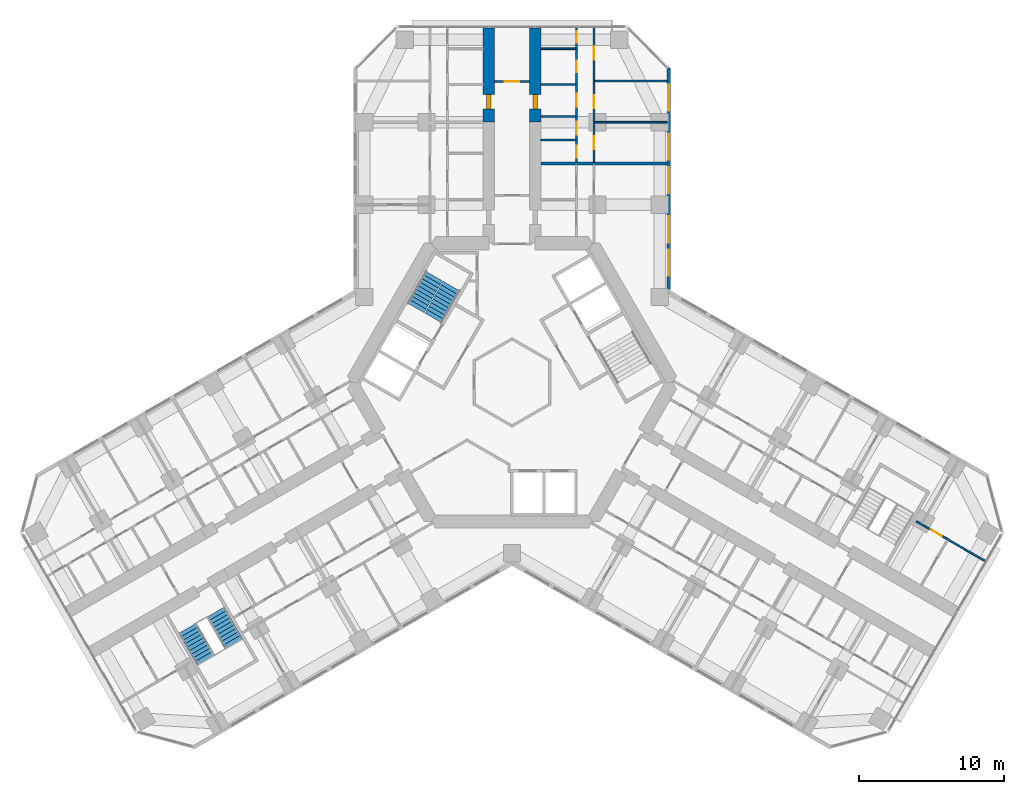
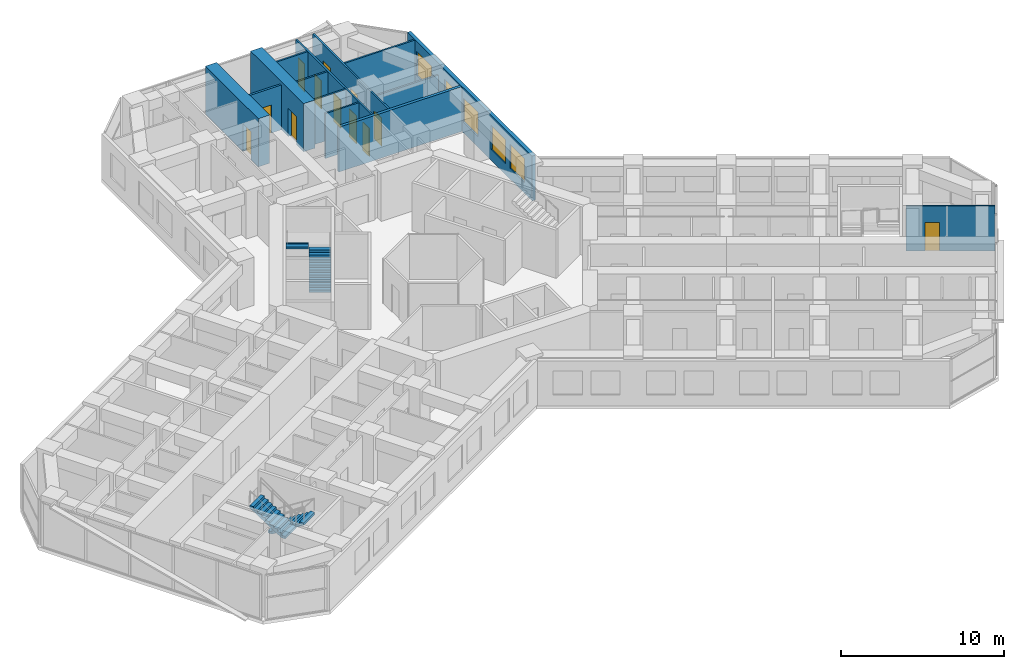
# One storey, part 18 of 20: 14 walls, 12 doors, 5 windows, 4 stair flights, 17 openings, 2 elements without a shape of their own.
"""IFC4 building model written with IfcOpenShell, lengths in metres."""

from ifc_helpers import new_model, si_unit, direction, frame, frame_2d, origin, place, context, subcontext, project, spatial, polyline, rectangle, outline, extrude, material, layer, layer_set, type_object, element, fill, aggregate, save


model = new_model("IFC4")

# Units and contexts
model_context = context("Model", 3, precision=1e-05, world=origin(), true_north=direction((0.0, 1.0)))
body_context = subcontext(model_context, "Body", "Model", "MODEL_VIEW")
ifc_project = project(units=[si_unit("LENGTHUNIT", "METRE"), si_unit("AREAUNIT", "SQUARE_METRE"), si_unit("VOLUMEUNIT", "CUBIC_METRE"), si_unit("PLANEANGLEUNIT", "RADIAN"), si_unit("MASSUNIT", "GRAM", prefix="KILO")], contexts=[model_context])

# Site, building, storey
site_placement = place(None, origin())
site = spatial("IfcSite", under=ifc_project, at=site_placement, CompositionType="ELEMENT")
building_placement = place(site_placement, origin())
building = spatial("IfcBuilding", under=site, at=building_placement, Name="Kosmar Iwan School Tower", CompositionType="ELEMENT")
storey_placement = place(building_placement, frame((0.0, 0.0, 127.39990234375)))
storey = spatial("IfcBuildingStorey", under=building, at=storey_placement, Name="L31", CompositionType="ELEMENT", Elevation=127.39990234375)

# Wall, opening, door
ifc_material_1 = material(Name="Concrete C50/60", Category="concrete")
ifc_layer_1 = layer(ifc_material_1, 0.800048828125)
ifc_layer_set_1 = layer_set([ifc_layer_1], Name="Corridor buttress wall 800")
wall_type_1 = type_object("IfcWallType", Name="Corridor buttress wall 800", PredefinedType="SHEAR", material=ifc_layer_set_1)
wall_1_placement = place(storey_placement, frame((-1.60009765625, 17.949951171875, 0.0), z_axis=(0.0, 0.0, 1.0), x_axis=(0.0, 1.0, 0.0)))
wall_1 = element("IfcWall", 1, at=wall_1_placement, inside=storey, type_object=wall_type_1, Name="Corridor wall AL bay 2", PredefinedType="SHEAR", context=body_context, shape_type="SweptSolid", body=[
    extrude(rectangle(XDim=6.4951171875, YDim=0.800048828125, at=frame_2d((3.24755859375, 0.0))), origin(), (0.0, 0.0, 1.0), 3.60009765625),
])
opening_1_placement = place(wall_1_placement, frame((0.89990234375, 0.0, 0.0)))
opening_1 = element("IfcOpeningElement", 2, at=opening_1_placement, cuts=wall_1, Name="Opening D1", PredefinedType="OPENING", context=body_context, shape_type="SweptSolid", body=[
    extrude(rectangle(XDim=1.0, YDim=2.10009765625, at=frame_2d((0.5, 1.050048828125))), frame((0.0, 0.412109375, 0.0), z_axis=(0.0, -1.0, 0.0), x_axis=(1.0, 0.0, 0.0)), (0.0, 0.0, 1.0), 0.823974609375),
])
ifc_material_2 = material(Name="Timber fire door in steel frame", Category="steel")
door_type_1 = type_object("IfcDoorType", Name="Flat entrance door 1000x2100", OperationType="SINGLE_SWING_LEFT", PredefinedType="DOOR", material=ifc_material_2)
door_1_placement = place(opening_1_placement, origin())
door_1 = element("IfcDoor", 3, at=door_1_placement, inside=storey, type_object=door_type_1, Name="Flat L31-AL2 entrance door", OperationType="SINGLE_SWING_RIGHT", OverallHeight=2.10009765625, OverallWidth=1.0, PredefinedType="DOOR", context=body_context, shape_type="SweptSolid", body=[
    extrude(rectangle(XDim=1.0, YDim=2.10009765625, at=frame_2d((0.5, 1.050048828125))), frame((0.0, 0.14990234375, 0.0), z_axis=(0.0, -1.0, 0.0), x_axis=(1.0, 0.0, 0.0)), (0.0, 0.0, 1.0), 0.300048828125),
])
fill(opening_1, door_1)

wall_2_placement = place(storey_placement, frame((1.60009765625, 17.949951171875, 0.0), z_axis=(0.0, 0.0, 1.0), x_axis=(0.0, 1.0, 0.0)))
wall_2 = element("IfcWall", 4, at=wall_2_placement, inside=storey, type_object=wall_type_1, Name="Corridor wall AR bay 2", PredefinedType="SHEAR", context=body_context, shape_type="SweptSolid", body=[
    extrude(rectangle(XDim=6.4951171875, YDim=0.800048828125, at=frame_2d((3.24755859375, 0.0))), origin(), (0.0, 0.0, 1.0), 3.60009765625),
])
opening_2_placement = place(wall_2_placement, frame((0.89990234375, 0.0, 0.0)))
opening_2 = element("IfcOpeningElement", 5, at=opening_2_placement, cuts=wall_2, Name="Opening D1", PredefinedType="OPENING", context=body_context, shape_type="SweptSolid", body=[
    extrude(rectangle(XDim=1.0, YDim=2.10009765625, at=frame_2d((0.5, 1.050048828125))), frame((0.0, 0.412109375, 0.0), z_axis=(0.0, -1.0, 0.0), x_axis=(1.0, 0.0, 0.0)), (0.0, 0.0, 1.0), 0.823974609375),
])
door_2_placement = place(opening_2_placement, origin())
door_2 = element("IfcDoor", 6, at=door_2_placement, inside=storey, type_object=door_type_1, Name="Flat L31-AR2 entrance door", OperationType="SINGLE_SWING_RIGHT", OverallHeight=2.10009765625, OverallWidth=1.0, PredefinedType="DOOR", context=body_context, shape_type="SweptSolid", body=[
    extrude(rectangle(XDim=1.0, YDim=2.10009765625, at=frame_2d((0.5, 1.050048828125))), frame((0.0, 0.14990234375, 0.0), z_axis=(0.0, -1.0, 0.0), x_axis=(1.0, 0.0, 0.0)), (0.0, 0.0, 1.0), 0.300048828125),
])
fill(opening_2, door_2)

ifc_material_3 = material(Name="Gypsum board on steel studs, fire-rated", Category="steel")
ifc_layer_2 = layer(ifc_material_3, 0.14990234375)
ifc_layer_set_2 = layer_set([ifc_layer_2], Name="Corridor end wall 150")
wall_type_2 = type_object("IfcWallType", Name="Corridor end wall 150", PredefinedType="PARTITIONING", material=ifc_layer_set_2)
wall_3_placement = place(storey_placement, frame((1.199951171875, 20.75, 0.0), z_axis=(0.0, 0.0, 1.0), x_axis=(-1.0, 0.0, 0.0)))
wall_3 = element("IfcWall", 7, at=wall_3_placement, inside=storey, type_object=wall_type_2, Name="Partition L31-A-CE", PredefinedType="PARTITIONING", context=body_context, shape_type="SweptSolid", body=[
    extrude(rectangle(XDim=2.39990234375, YDim=0.14990234375, at=frame_2d((1.199951171875, 0.0))), origin(), (0.0, 0.0, 1.0), 3.35009765625),
])
opening_3_placement = place(wall_3_placement, frame((0.699951171875, 0.0, 0.0)))
opening_3 = element("IfcOpeningElement", 8, at=opening_3_placement, cuts=wall_3, Name="Opening D13", PredefinedType="OPENING", context=body_context, shape_type="SweptSolid", body=[
    extrude(rectangle(XDim=1.0, YDim=2.10009765625, at=frame_2d((0.5, 1.050048828125))), frame((0.0, 0.0869140625, 0.0), z_axis=(0.0, -1.0, 0.0), x_axis=(1.0, 0.0, 0.0)), (0.0, 0.0, 1.0), 0.173828125),
])
ifc_material_4 = material(Name="Timber fire door with vision panel", Category="wood")
door_type_2 = type_object("IfcDoorType", Name="Corridor end door 1000x2100", OperationType="SINGLE_SWING_LEFT", PredefinedType="DOOR", material=ifc_material_4)
door_3_placement = place(opening_3_placement, origin())
door_3 = element("IfcDoor", 9, at=door_3_placement, inside=storey, type_object=door_type_2, Name="Prayer room door L31-A", OperationType="SINGLE_SWING_LEFT", OverallHeight=2.10009765625, OverallWidth=1.0, PredefinedType="DOOR", context=body_context, shape_type="SweptSolid", body=[
    extrude(rectangle(XDim=1.0, YDim=2.10009765625, at=frame_2d((0.5, 1.050048828125))), frame((0.0, 0.02490234375, 0.0), z_axis=(0.0, -1.0, 0.0), x_axis=(1.0, 0.0, 0.0)), (0.0, 0.0, 1.0), 0.050048828125),
])
fill(opening_3, door_3)

# Wall, openings, doors
ifc_material_5 = material(Name="Gypsum board on steel studs", Category="steel")
ifc_layer_3 = layer(ifc_material_5, 0.1201171875)
ifc_layer_set_3 = layer_set([ifc_layer_3], Name="Dwelling partition 120")
wall_type_3 = type_object("IfcWallType", Name="Dwelling partition 120", PredefinedType="PARTITIONING", material=ifc_layer_set_3)
wall_4_placement = place(storey_placement, frame((4.449951171875, 15.199951171875, 0.0), z_axis=(0.0, 0.0, 1.0), x_axis=(0.0, 1.0, 0.0)))
wall_4 = element("IfcWall", 10, at=wall_4_placement, inside=storey, type_object=wall_type_3, Name="Partition L31-AR2-W1", PredefinedType="PARTITIONING", context=body_context, shape_type="SweptSolid", body=[
    extrude(rectangle(XDim=9.2451171875, YDim=0.1201171875, at=frame_2d((4.62255859375, 0.0))), origin(), (0.0, 0.0, 1.0), 3.35009765625),
])
opening_4_placement = place(wall_4_placement, frame((0.3125, 0.0, 0.0)))
opening_4 = element("IfcOpeningElement", 11, at=opening_4_placement, cuts=wall_4, Name="Opening D3", PredefinedType="OPENING", context=body_context, shape_type="SweptSolid", body=[
    extrude(rectangle(XDim=0.800048828125, YDim=2.10009765625, at=frame_2d((0.39990234375, 1.050048828125))), frame((0.0, 0.072021484375, 0.0), z_axis=(0.0, -1.0, 0.0), x_axis=(1.0, 0.0, 0.0)), (0.0, 0.0, 1.0), 0.14404296875),
])
opening_5_placement = place(wall_4_placement, frame((1.887451171875, 0.0, 0.0)))
opening_5 = element("IfcOpeningElement", 12, at=opening_5_placement, cuts=wall_4, Name="Opening D2", PredefinedType="OPENING", context=body_context, shape_type="SweptSolid", body=[
    extrude(rectangle(XDim=0.89990234375, YDim=2.10009765625, at=frame_2d((0.449951171875, 1.050048828125))), frame((0.0, 0.072021484375, 0.0), z_axis=(0.0, -1.0, 0.0), x_axis=(1.0, 0.0, 0.0)), (0.0, 0.0, 1.0), 0.14404296875),
])
opening_6_placement = place(wall_4_placement, frame((3.800048828125, 0.0, 0.0)))
opening_6 = element("IfcOpeningElement", 13, at=opening_6_placement, cuts=wall_4, Name="Opening D2", PredefinedType="OPENING", context=body_context, shape_type="SweptSolid", body=[
    extrude(rectangle(XDim=0.89990234375, YDim=2.10009765625, at=frame_2d((0.449951171875, 1.050048828125))), frame((0.0, 0.072021484375, 0.0), z_axis=(0.0, -1.0, 0.0), x_axis=(1.0, 0.0, 0.0)), (0.0, 0.0, 1.0), 0.14404296875),
])
opening_7_placement = place(wall_4_placement, frame((6.179931640625, 0.0, 0.0)))
opening_7 = element("IfcOpeningElement", 14, at=opening_7_placement, cuts=wall_4, Name="Opening D3", PredefinedType="OPENING", context=body_context, shape_type="SweptSolid", body=[
    extrude(rectangle(XDim=0.800048828125, YDim=2.10009765625, at=frame_2d((0.39990234375, 1.050048828125))), frame((0.0, 0.072021484375, 0.0), z_axis=(0.0, -1.0, 0.0), x_axis=(1.0, 0.0, 0.0)), (0.0, 0.0, 1.0), 0.14404296875),
])
opening_8_placement = place(wall_4_placement, frame((8.22998046875, 0.0, 0.0)))
opening_8 = element("IfcOpeningElement", 15, at=opening_8_placement, cuts=wall_4, Name="Opening D3", PredefinedType="OPENING", context=body_context, shape_type="SweptSolid", body=[
    extrude(rectangle(XDim=0.800048828125, YDim=2.10009765625, at=frame_2d((0.39990234375, 1.050048828125))), frame((0.0, 0.072021484375, 0.0), z_axis=(0.0, -1.0, 0.0), x_axis=(1.0, 0.0, 0.0)), (0.0, 0.0, 1.0), 0.14404296875),
])
ifc_material_6 = material(Name="Timber door in timber frame", Category="wood")
door_type_3 = type_object("IfcDoorType", Name="Internal door 900x2100", OperationType="SINGLE_SWING_LEFT", PredefinedType="DOOR", material=ifc_material_6)
door_4_placement = place(opening_5_placement, origin())
door_4 = element("IfcDoor", 16, at=door_4_placement, inside=storey, type_object=door_type_3, Name="Pantry door L31-AR2-S2", OperationType="SINGLE_SWING_LEFT", OverallHeight=2.10009765625, OverallWidth=0.89990234375, PredefinedType="DOOR", context=body_context, shape_type="SweptSolid", body=[
    extrude(rectangle(XDim=0.89990234375, YDim=2.10009765625, at=frame_2d((0.449951171875, 1.050048828125))), frame((0.0, 0.02490234375, 0.0), z_axis=(0.0, -1.0, 0.0), x_axis=(1.0, 0.0, 0.0)), (0.0, 0.0, 1.0), 0.050048828125),
])
fill(opening_5, door_4)
door_5_placement = place(opening_6_placement, origin())
door_5 = element("IfcDoor", 17, at=door_5_placement, inside=storey, type_object=door_type_3, Name="Entrance hall door L31-AR2-S3", OperationType="SINGLE_SWING_RIGHT", OverallHeight=2.10009765625, OverallWidth=0.89990234375, PredefinedType="DOOR", context=body_context, shape_type="SweptSolid", body=[
    extrude(rectangle(XDim=0.89990234375, YDim=2.10009765625, at=frame_2d((0.449951171875, 1.050048828125))), frame((0.0, 0.02490234375, 0.0), z_axis=(0.0, -1.0, 0.0), x_axis=(1.0, 0.0, 0.0)), (0.0, 0.0, 1.0), 0.050048828125),
])
fill(opening_6, door_5)
ifc_material_7 = material(Name="Timber door in timber frame", Category="wood")
door_type_4 = type_object("IfcDoorType", Name="Sanitary room door 800x2100", OperationType="SINGLE_SWING_LEFT", PredefinedType="DOOR", material=ifc_material_7)
door_6_placement = place(opening_4_placement, origin())
door_6 = element("IfcDoor", 18, at=door_6_placement, inside=storey, type_object=door_type_4, Name="Store door L31-AR2-S1", OperationType="SINGLE_SWING_RIGHT", OverallHeight=2.10009765625, OverallWidth=0.800048828125, PredefinedType="DOOR", context=body_context, shape_type="SweptSolid", body=[
    extrude(rectangle(XDim=0.800048828125, YDim=2.10009765625, at=frame_2d((0.39990234375, 1.050048828125))), frame((0.0, 0.02490234375, 0.0), z_axis=(0.0, -1.0, 0.0), x_axis=(1.0, 0.0, 0.0)), (0.0, 0.0, 1.0), 0.050048828125),
])
fill(opening_4, door_6)
door_7_placement = place(opening_7_placement, origin())
door_7 = element("IfcDoor", 19, at=door_7_placement, inside=storey, type_object=door_type_4, Name="Bathroom door L31-AR2-S4", OperationType="SINGLE_SWING_LEFT", OverallHeight=2.10009765625, OverallWidth=0.800048828125, PredefinedType="DOOR", context=body_context, shape_type="SweptSolid", body=[
    extrude(rectangle(XDim=0.800048828125, YDim=2.10009765625, at=frame_2d((0.39990234375, 1.050048828125))), frame((0.0, 0.02490234375, 0.0), z_axis=(0.0, -1.0, 0.0), x_axis=(1.0, 0.0, 0.0)), (0.0, 0.0, 1.0), 0.050048828125),
])
fill(opening_7, door_7)
door_8_placement = place(opening_8_placement, origin())
door_8 = element("IfcDoor", 20, at=door_8_placement, inside=storey, type_object=door_type_4, Name="WC door L31-AR2-S5", OperationType="SINGLE_SWING_RIGHT", OverallHeight=2.10009765625, OverallWidth=0.800048828125, PredefinedType="DOOR", context=body_context, shape_type="SweptSolid", body=[
    extrude(rectangle(XDim=0.800048828125, YDim=2.10009765625, at=frame_2d((0.39990234375, 1.050048828125))), frame((0.0, 0.02490234375, 0.0), z_axis=(0.0, -1.0, 0.0), x_axis=(1.0, 0.0, 0.0)), (0.0, 0.0, 1.0), 0.050048828125),
])
fill(opening_8, door_8)

wall_5_placement = place(storey_placement, frame((5.64990234375, 15.199951171875, 0.0), z_axis=(0.0, 0.0, 1.0), x_axis=(0.0, 1.0, 0.0)))
wall_5 = element("IfcWall", 21, at=wall_5_placement, inside=storey, type_object=wall_type_3, Name="Partition L31-AR2-W2", PredefinedType="PARTITIONING", context=body_context, shape_type="SweptSolid", body=[
    extrude(rectangle(XDim=9.2451171875, YDim=0.1201171875, at=frame_2d((4.62255859375, 0.0))), origin(), (0.0, 0.0, 1.0), 3.35009765625),
])
opening_9_placement = place(wall_5_placement, frame((0.875, 0.0, 0.0)))
opening_9 = element("IfcOpeningElement", 22, at=opening_9_placement, cuts=wall_5, Name="Opening D2", PredefinedType="OPENING", context=body_context, shape_type="SweptSolid", body=[
    extrude(rectangle(XDim=0.89990234375, YDim=2.10009765625, at=frame_2d((0.449951171875, 1.050048828125))), frame((0.0, 0.072021484375, 0.0), z_axis=(0.0, -1.0, 0.0), x_axis=(1.0, 0.0, 0.0)), (0.0, 0.0, 1.0), 0.14404296875),
])
opening_10_placement = place(wall_5_placement, frame((3.72509765625, 0.0, 0.0)))
opening_10 = element("IfcOpeningElement", 23, at=opening_10_placement, cuts=wall_5, Name="Opening D2", PredefinedType="OPENING", context=body_context, shape_type="SweptSolid", body=[
    extrude(rectangle(XDim=0.89990234375, YDim=2.10009765625, at=frame_2d((0.449951171875, 1.050048828125))), frame((0.0, 0.072021484375, 0.0), z_axis=(0.0, -1.0, 0.0), x_axis=(1.0, 0.0, 0.0)), (0.0, 0.0, 1.0), 0.14404296875),
])
opening_11_placement = place(wall_5_placement, frame((7.074951171875, 0.0, 0.0)))
opening_11 = element("IfcOpeningElement", 24, at=opening_11_placement, cuts=wall_5, Name="Opening D2", PredefinedType="OPENING", context=body_context, shape_type="SweptSolid", body=[
    extrude(rectangle(XDim=0.89990234375, YDim=2.10009765625, at=frame_2d((0.449951171875, 1.050048828125))), frame((0.0, 0.072021484375, 0.0), z_axis=(0.0, -1.0, 0.0), x_axis=(1.0, 0.0, 0.0)), (0.0, 0.0, 1.0), 0.14404296875),
])
door_9_placement = place(opening_9_placement, origin())
door_9 = element("IfcDoor", 25, at=door_9_placement, inside=storey, type_object=door_type_3, Name="Family room and kitchen door L31-AR2-F1", OperationType="SINGLE_SWING_LEFT", OverallHeight=2.10009765625, OverallWidth=0.89990234375, PredefinedType="DOOR", context=body_context, shape_type="SweptSolid", body=[
    extrude(rectangle(XDim=0.89990234375, YDim=2.10009765625, at=frame_2d((0.449951171875, 1.050048828125))), frame((0.0, 0.02490234375, 0.0), z_axis=(0.0, -1.0, 0.0), x_axis=(1.0, 0.0, 0.0)), (0.0, 0.0, 1.0), 0.050048828125),
])
fill(opening_9, door_9)
door_10_placement = place(opening_10_placement, origin())
door_10 = element("IfcDoor", 26, at=door_10_placement, inside=storey, type_object=door_type_3, Name="Guest reception room door L31-AR2-F2", OperationType="SINGLE_SWING_LEFT", OverallHeight=2.10009765625, OverallWidth=0.89990234375, PredefinedType="DOOR", context=body_context, shape_type="SweptSolid", body=[
    extrude(rectangle(XDim=0.89990234375, YDim=2.10009765625, at=frame_2d((0.449951171875, 1.050048828125))), frame((0.0, 0.02490234375, 0.0), z_axis=(0.0, -1.0, 0.0), x_axis=(1.0, 0.0, 0.0)), (0.0, 0.0, 1.0), 0.050048828125),
])
fill(opening_10, door_10)
door_11_placement = place(opening_11_placement, origin())
door_11 = element("IfcDoor", 27, at=door_11_placement, inside=storey, type_object=door_type_3, Name="Bedroom 1 door L31-AR2-F3", OperationType="SINGLE_SWING_RIGHT", OverallHeight=2.10009765625, OverallWidth=0.89990234375, PredefinedType="DOOR", context=body_context, shape_type="SweptSolid", body=[
    extrude(rectangle(XDim=0.89990234375, YDim=2.10009765625, at=frame_2d((0.449951171875, 1.050048828125))), frame((0.0, 0.02490234375, 0.0), z_axis=(0.0, -1.0, 0.0), x_axis=(1.0, 0.0, 0.0)), (0.0, 0.0, 1.0), 0.050048828125),
])
fill(opening_11, door_11)

# Walls
wall_6_placement = place(storey_placement, frame((5.7099609375, 17.949951171875, 0.0), z_axis=(0.0, 0.0, 1.0), x_axis=(1.0, 0.0, 0.0)))
element("IfcWall", 28, at=wall_6_placement, inside=storey, type_object=wall_type_3, Name="Partition L31-AR2-X1", PredefinedType="PARTITIONING", context=body_context, shape_type="SweptSolid", body=[
    extrude(rectangle(XDim=4.989990234375, YDim=0.1201171875, at=frame_2d((2.4951171875, 0.0))), origin(), (0.0, 0.0, 1.0), 2.4501953125),
])
wall_7_placement = place(storey_placement, frame((5.7099609375, 20.800048828125, 0.0), z_axis=(0.0, 0.0, 1.0), x_axis=(1.0, 0.0, 0.0)))
element("IfcWall", 29, at=wall_7_placement, inside=storey, type_object=wall_type_3, Name="Partition L31-AR2-X2", PredefinedType="PARTITIONING", context=body_context, shape_type="SweptSolid", body=[
    extrude(rectangle(XDim=4.989990234375, YDim=0.1201171875, at=frame_2d((2.4951171875, 0.0))), origin(), (0.0, 0.0, 1.0), 3.35009765625),
])
for number, where, z_axis, x_axis, name in (
    (30, (2.0, 16.72509765625, 0.0), (0.0, 0.0, 1.0), (1.0, 0.0, 0.0), "Partition L31-AR2-Y1"),
    (31, (2.0, 18.35009765625, 0.0), (0.0, 0.0, 1.0), (1.0, 0.0, 0.0), "Partition L31-AR2-Y2"),
    (32, (2.0, 20.550048828125, 0.0), (0.0, 0.0, 1.0), (1.0, 0.0, 0.0), "Partition L31-AR2-Y3"),
    (33, (2.0, 23.010009765625, 0.0), (0.0, 0.0, 1.0), (1.0, 0.0, 0.0), "Partition L31-AR2-Y4"),
):
    element("IfcWall", number, at=place(storey_placement, frame(where, z_axis=z_axis, x_axis=x_axis)), inside=storey, type_object=wall_type_3, Name=name, PredefinedType="PARTITIONING", context=body_context, shape_type="SweptSolid", body=[
        extrude(rectangle(XDim=2.389892578125, YDim=0.1201171875, at=frame_2d((1.19482421875, 0.0))), origin(), (0.0, 0.0, 1.0), 3.35009765625),
    ])

# Wall, opening, door
wall_8_placement = place(storey_placement, frame((27.896484375, -9.58203125, 0.0), z_axis=(0.0, 0.0, 1.0), x_axis=(0.866035508231, -0.499982498177, 0.0)))
wall_8 = element("IfcWall", 34, at=wall_8_placement, inside=storey, type_object=wall_type_3, Name="Partition L31-CL2-TW", PredefinedType="PARTITIONING", context=body_context, shape_type="SweptSolid", body=[
    extrude(rectangle(XDim=5.445068359375, YDim=0.1201171875, at=frame_2d((2.72265625, 0.0))), origin(), (0.0, 0.0, 1.0), 3.35009765625),
])
opening_12_placement = place(wall_8_placement, frame((1.14990234375, 0.0, 0.0)))
opening_12 = element("IfcOpeningElement", 35, at=opening_12_placement, cuts=wall_8, Name="Opening D2", PredefinedType="OPENING", context=body_context, shape_type="SweptSolid", body=[
    extrude(rectangle(XDim=0.89990234375, YDim=2.10009765625, at=frame_2d((0.449951171875, 1.050048828125))), frame((0.0, 0.072021484375, 0.0), z_axis=(0.0, -1.0, 0.0), x_axis=(1.0, 0.0, 0.0)), (0.0, 0.0, 1.0), 0.14404296875),
])
door_12_placement = place(opening_12_placement, origin())
door_12 = element("IfcDoor", 36, at=door_12_placement, inside=storey, type_object=door_type_3, Name="Dressing room door L31-CL2-T3", OperationType="SINGLE_SWING_LEFT", OverallHeight=2.10009765625, OverallWidth=0.89990234375, PredefinedType="DOOR", context=body_context, shape_type="SweptSolid", body=[
    extrude(rectangle(XDim=0.89990234375, YDim=2.10009765625, at=frame_2d((0.449951171875, 1.050048828125))), frame((0.0, 0.02490234375, 0.0), z_axis=(0.0, -1.0, 0.0), x_axis=(1.0, 0.0, 0.0)), (0.0, 0.0, 1.0), 0.050048828125),
])
fill(opening_12, door_12)

# Wall, openings, windows
ifc_material_8 = material(Name="Black aluminium rainscreen on insulated framing", Category="aluminium")
ifc_layer_4 = layer(ifc_material_8, 0.25)
ifc_layer_set_4 = layer_set([ifc_layer_4], Name="External wall rainscreen 250")
wall_type_4 = type_object("IfcWallType", Name="External wall rainscreen 250", PredefinedType="SOLIDWALL", material=ifc_layer_set_4)
wall_9_placement = place(storey_placement, frame((10.824951171875, 6.408935546875, 0.0), z_axis=(0.0, 0.0, 1.0), x_axis=(0.0, 1.0, 0.0)))
wall_9 = element("IfcWall", 37, at=wall_9_placement, inside=storey, type_object=wall_type_4, Name="External wall AR L31", PredefinedType="SOLIDWALL", context=body_context, shape_type="SweptSolid", body=[
    extrude(rectangle(XDim=15.2763671875, YDim=0.25, at=frame_2d((7.63818359375, 0.0))), origin(), (0.0, 0.0, 1.0), 3.35009765625),
])
opening_13_placement = place(wall_9_placement, frame((0.94091796875, 0.0, 0.800048828125)))
opening_13 = element("IfcOpeningElement", 38, at=opening_13_placement, cuts=wall_9, Name="Opening W1", PredefinedType="OPENING", context=body_context, shape_type="SweptSolid", body=[
    extrude(rectangle(XDim=1.800048828125, YDim=1.800048828125, at=frame_2d((0.89990234375, 0.89990234375))), frame((0.0, 0.136962890625, 0.0), z_axis=(0.0, -1.0, 0.0), x_axis=(1.0, 0.0, 0.0)), (0.0, 0.0, 1.0), 0.27392578125),
])
opening_14_placement = place(wall_9_placement, frame((3.240966796875, 0.0, 0.800048828125)))
opening_14 = element("IfcOpeningElement", 39, at=opening_14_placement, cuts=wall_9, Name="Opening W1", PredefinedType="OPENING", context=body_context, shape_type="SweptSolid", body=[
    extrude(rectangle(XDim=1.800048828125, YDim=1.800048828125, at=frame_2d((0.89990234375, 0.89990234375))), frame((0.0, 0.136962890625, 0.0), z_axis=(0.0, -1.0, 0.0), x_axis=(1.0, 0.0, 0.0)), (0.0, 0.0, 1.0), 0.27392578125),
])
opening_15_placement = place(wall_9_placement, frame((6.64111328125, 0.0, 0.800048828125)))
opening_15 = element("IfcOpeningElement", 40, at=opening_15_placement, cuts=wall_9, Name="Opening W1", PredefinedType="OPENING", context=body_context, shape_type="SweptSolid", body=[
    extrude(rectangle(XDim=1.800048828125, YDim=1.800048828125, at=frame_2d((0.89990234375, 0.89990234375))), frame((0.0, 0.136962890625, 0.0), z_axis=(0.0, -1.0, 0.0), x_axis=(1.0, 0.0, 0.0)), (0.0, 0.0, 1.0), 0.27392578125),
])
opening_16_placement = place(wall_9_placement, frame((8.94091796875, 0.0, 0.800048828125)))
opening_16 = element("IfcOpeningElement", 41, at=opening_16_placement, cuts=wall_9, Name="Opening W1", PredefinedType="OPENING", context=body_context, shape_type="SweptSolid", body=[
    extrude(rectangle(XDim=1.800048828125, YDim=1.800048828125, at=frame_2d((0.89990234375, 0.89990234375))), frame((0.0, 0.136962890625, 0.0), z_axis=(0.0, -1.0, 0.0), x_axis=(1.0, 0.0, 0.0)), (0.0, 0.0, 1.0), 0.27392578125),
])
opening_17_placement = place(wall_9_placement, frame((12.341064453125, 0.0, 0.800048828125)))
opening_17 = element("IfcOpeningElement", 42, at=opening_17_placement, cuts=wall_9, Name="Opening W1", PredefinedType="OPENING", context=body_context, shape_type="SweptSolid", body=[
    extrude(rectangle(XDim=1.800048828125, YDim=1.800048828125, at=frame_2d((0.89990234375, 0.89990234375))), frame((0.0, 0.136962890625, 0.0), z_axis=(0.0, -1.0, 0.0), x_axis=(1.0, 0.0, 0.0)), (0.0, 0.0, 1.0), 0.27392578125),
])
ifc_material_9 = material(Name="Black aluminium frame with dark triple glazing", Category="aluminium")
window_type = type_object("IfcWindowType", Name="Window 1800x1800", PartitioningType="SINGLE_PANEL", PredefinedType="WINDOW", material=ifc_material_9)
window_1_placement = place(opening_13_placement, origin())
window_1 = element("IfcWindow", 43, at=window_1_placement, inside=storey, type_object=window_type, Name="Window AR L31 -1", OverallHeight=1.800048828125, OverallWidth=1.800048828125, PartitioningType="SINGLE_PANEL", PredefinedType="WINDOW", context=body_context, shape_type="SweptSolid", body=[
    extrude(rectangle(XDim=1.800048828125, YDim=1.800048828125, at=frame_2d((0.89990234375, 0.89990234375))), frame((0.0, 0.030029296875, 0.0), z_axis=(0.0, -1.0, 0.0), x_axis=(1.0, 0.0, 0.0)), (0.0, 0.0, 1.0), 0.06005859375),
])
fill(opening_13, window_1)
window_2_placement = place(opening_14_placement, origin())
window_2 = element("IfcWindow", 44, at=window_2_placement, inside=storey, type_object=window_type, Name="Window AR L31 0", OverallHeight=1.800048828125, OverallWidth=1.800048828125, PartitioningType="SINGLE_PANEL", PredefinedType="WINDOW", context=body_context, shape_type="SweptSolid", body=[
    extrude(rectangle(XDim=1.800048828125, YDim=1.800048828125, at=frame_2d((0.89990234375, 0.89990234375))), frame((0.0, 0.030029296875, 0.0), z_axis=(0.0, -1.0, 0.0), x_axis=(1.0, 0.0, 0.0)), (0.0, 0.0, 1.0), 0.06005859375),
])
fill(opening_14, window_2)
window_3_placement = place(opening_15_placement, origin())
window_3 = element("IfcWindow", 45, at=window_3_placement, inside=storey, type_object=window_type, Name="Window AR L31 1", OverallHeight=1.800048828125, OverallWidth=1.800048828125, PartitioningType="SINGLE_PANEL", PredefinedType="WINDOW", context=body_context, shape_type="SweptSolid", body=[
    extrude(rectangle(XDim=1.800048828125, YDim=1.800048828125, at=frame_2d((0.89990234375, 0.89990234375))), frame((0.0, 0.030029296875, 0.0), z_axis=(0.0, -1.0, 0.0), x_axis=(1.0, 0.0, 0.0)), (0.0, 0.0, 1.0), 0.06005859375),
])
fill(opening_15, window_3)
window_4_placement = place(opening_16_placement, origin())
window_4 = element("IfcWindow", 46, at=window_4_placement, inside=storey, type_object=window_type, Name="Window AR L31 2", OverallHeight=1.800048828125, OverallWidth=1.800048828125, PartitioningType="SINGLE_PANEL", PredefinedType="WINDOW", context=body_context, shape_type="SweptSolid", body=[
    extrude(rectangle(XDim=1.800048828125, YDim=1.800048828125, at=frame_2d((0.89990234375, 0.89990234375))), frame((0.0, 0.030029296875, 0.0), z_axis=(0.0, -1.0, 0.0), x_axis=(1.0, 0.0, 0.0)), (0.0, 0.0, 1.0), 0.06005859375),
])
fill(opening_16, window_4)
window_5_placement = place(opening_17_placement, origin())
window_5 = element("IfcWindow", 47, at=window_5_placement, inside=storey, type_object=window_type, Name="Window AR L31 3", OverallHeight=1.800048828125, OverallWidth=1.800048828125, PartitioningType="SINGLE_PANEL", PredefinedType="WINDOW", context=body_context, shape_type="SweptSolid", body=[
    extrude(rectangle(XDim=1.800048828125, YDim=1.800048828125, at=frame_2d((0.89990234375, 0.89990234375))), frame((0.0, 0.030029296875, 0.0), z_axis=(0.0, -1.0, 0.0), x_axis=(1.0, 0.0, 0.0)), (0.0, 0.0, 1.0), 0.06005859375),
])
fill(opening_17, window_5)

# Wall
ifc_material_10 = material(Name="Concrete block masonry", Category="masonry")
ifc_layer_5 = layer(ifc_material_10, 0.199951171875)
ifc_layer_set_5 = layer_set([ifc_layer_5], Name="Party wall 200")
wall_type_5 = type_object("IfcWallType", Name="Party wall 200", PredefinedType="PARTITIONING", material=ifc_layer_set_5)
wall_10_placement = place(storey_placement, frame((2.0, 15.10009765625, 0.0), z_axis=(0.0, 0.0, 1.0), x_axis=(1.0, 0.0, 0.0)))
element("IfcWall", 48, at=wall_10_placement, inside=storey, type_object=wall_type_5, Name="Partition L31-AR2-PW", PredefinedType="PARTITIONING", context=body_context, shape_type="SweptSolid", body=[
    extrude(rectangle(XDim=8.699951171875, YDim=0.199951171875, at=frame_2d((4.35009765625, 0.0))), origin(), (0.0, 0.0, 1.0), 3.35009765625),
])

# Stair, stair flights
ifc_material_11 = material(Name="Concrete C35/45", Category="concrete")
stair_type_1 = type_object("IfcStairType", Name="Escape stair 3600", PredefinedType="HALF_TURN_STAIR", material=ifc_material_11)
stair_1_placement = place(storey_placement, origin())
stair_1 = element("IfcStair", 49, at=stair_1_placement, inside=storey, type_object=stair_type_1, Name="Stair WS2 L31", PredefinedType="HALF_TURN_STAIR")
ifc_material_12 = material(Name="Concrete C35/45", Category="concrete")
stair_flight_type_1 = type_object("IfcStairFlightType", Name="Escape stair flight 1350", PredefinedType="STRAIGHT", material=ifc_material_12)
stair_flight_1_placement = place(storey_placement, frame((-20.44189453125, -15.843505859375, 0.0), z_axis=(0.0, 0.0, 1.0), x_axis=(0.5, -0.866025403784, 0.0)))
stair_flight_1 = element("IfcStairFlight", 50, at=stair_flight_1_placement, type_object=stair_flight_type_1, Name="WS2 flight 1", NumberOfRisers=10, NumberOfTreads=9, PredefinedType="STRAIGHT", RiserHeight=0.18, TreadLength=0.28, context=body_context, shape_type="SweptSolid", body=[
    extrude(outline(polyline([(0.0, 0.0), (0.0, 0.179931640625), (0.280029296875, 0.179931640625), (0.280029296875, 0.360107421875), (0.56005859375, 0.360107421875), (0.56005859375, 0.5400390625), (0.840087890625, 0.5400390625), (0.840087890625, 0.719970703125), (1.1201171875, 0.719970703125), (1.1201171875, 0.89990234375), (1.39990234375, 0.89990234375), (1.39990234375, 1.080078125), (1.679931640625, 1.080078125), (1.679931640625, 1.260009765625), (1.9599609375, 1.260009765625), (1.9599609375, 1.43994140625), (2.239990234375, 1.43994140625), (2.239990234375, 1.6201171875), (2.52001953125, 1.6201171875), (2.52001953125, 1.800048828125), (2.52001953125, 1.44189453125), (0.277099609375, 0.0), (0.0, 0.0)])), frame((0.0, 0.675048828125, 0.0), z_axis=(0.0, -1.0, 0.0), x_axis=(1.0, 0.0, 0.0)), (0.0, 0.0, 1.0), 1.35009765625),
])
stair_flight_2_placement = place(storey_placement, frame((-21.13037109375, -19.15087890625, 1.800048828125), z_axis=(0.0, 0.0, 1.0), x_axis=(-0.5, 0.866025403784, 0.0)))
stair_flight_2 = element("IfcStairFlight", 51, at=stair_flight_2_placement, type_object=stair_flight_type_1, Name="WS2 flight 2", NumberOfRisers=10, NumberOfTreads=9, PredefinedType="STRAIGHT", RiserHeight=0.18, TreadLength=0.28, context=body_context, shape_type="SweptSolid", body=[
    extrude(outline(polyline([(0.0, 0.0), (0.0, 0.179931640625), (0.280029296875, 0.179931640625), (0.280029296875, 0.360107421875), (0.56005859375, 0.360107421875), (0.56005859375, 0.5400390625), (0.840087890625, 0.5400390625), (0.840087890625, 0.719970703125), (1.1201171875, 0.719970703125), (1.1201171875, 0.89990234375), (1.39990234375, 0.89990234375), (1.39990234375, 1.080078125), (1.679931640625, 1.080078125), (1.679931640625, 1.260009765625), (1.9599609375, 1.260009765625), (1.9599609375, 1.43994140625), (2.239990234375, 1.43994140625), (2.239990234375, 1.6201171875), (2.52001953125, 1.6201171875), (2.52001953125, 1.800048828125), (2.52001953125, 1.44189453125), (0.277099609375, 0.0), (0.0, 0.0)])), frame((0.0, 0.675048828125, 0.0), z_axis=(0.0, -1.0, 0.0), x_axis=(1.0, 0.0, 0.0)), (0.0, 0.0, 1.0), 1.35009765625),
])
aggregate(stair_1, [stair_flight_1, stair_flight_2])

ifc_material_13 = material(Name="Concrete C35/45", Category="concrete")
stair_type_2 = type_object("IfcStairType", Name="Core stair 2750", PredefinedType="HALF_TURN_STAIR", material=ifc_material_13)
stair_2_placement = place(storey_placement, origin())
stair_2 = element("IfcStair", 52, at=stair_2_placement, inside=storey, type_object=stair_type_2, Name="Stair ST2 L31", PredefinedType="HALF_TURN_STAIR")
ifc_material_14 = material(Name="Concrete C35/45", Category="concrete")
stair_flight_type_2 = type_object("IfcStairFlightType", Name="Stair flight 1350", PredefinedType="STRAIGHT", material=ifc_material_14)
stair_flight_3_placement = place(storey_placement, frame((-5.42724609375, 4.44970703125, 0.0), z_axis=(0.0, 0.0, 1.0), x_axis=(0.5, 0.866025403784, 0.0)))
stair_flight_3 = element("IfcStairFlight", 53, at=stair_flight_3_placement, type_object=stair_flight_type_2, Name="ST2 flight 1", NumberOfRisers=10, NumberOfTreads=9, PredefinedType="STRAIGHT", RiserHeight=0.18, TreadLength=0.28, context=body_context, shape_type="SweptSolid", body=[
    extrude(outline(polyline([(0.0, 0.0), (0.0, 0.179931640625), (0.280029296875, 0.179931640625), (0.280029296875, 0.360107421875), (0.56005859375, 0.360107421875), (0.56005859375, 0.5400390625), (0.840087890625, 0.5400390625), (0.840087890625, 0.719970703125), (1.1201171875, 0.719970703125), (1.1201171875, 0.89990234375), (1.39990234375, 0.89990234375), (1.39990234375, 1.080078125), (1.679931640625, 1.080078125), (1.679931640625, 1.260009765625), (1.9599609375, 1.260009765625), (1.9599609375, 1.43994140625), (2.239990234375, 1.43994140625), (2.239990234375, 1.6201171875), (2.52001953125, 1.6201171875), (2.52001953125, 1.800048828125), (2.52001953125, 1.44189453125), (0.277099609375, 0.0), (0.0, 0.0)])), frame((0.0, 0.675048828125, 0.0), z_axis=(0.0, -1.0, 0.0), x_axis=(1.0, 0.0, 0.0)), (0.0, 0.0, 1.0), 1.35009765625),
])
stair_flight_4_placement = place(storey_placement, frame((-5.379638671875, 7.33203125, 1.800048828125), z_axis=(0.0, 0.0, 1.0), x_axis=(-0.5, -0.866025403784, 0.0)))
stair_flight_4 = element("IfcStairFlight", 54, at=stair_flight_4_placement, type_object=stair_flight_type_2, Name="ST2 flight 2", NumberOfRisers=10, NumberOfTreads=9, PredefinedType="STRAIGHT", RiserHeight=0.18, TreadLength=0.28, context=body_context, shape_type="SweptSolid", body=[
    extrude(outline(polyline([(0.0, 0.0), (0.0, 0.179931640625), (0.280029296875, 0.179931640625), (0.280029296875, 0.360107421875), (0.56005859375, 0.360107421875), (0.56005859375, 0.5400390625), (0.840087890625, 0.5400390625), (0.840087890625, 0.719970703125), (1.1201171875, 0.719970703125), (1.1201171875, 0.89990234375), (1.39990234375, 0.89990234375), (1.39990234375, 1.080078125), (1.679931640625, 1.080078125), (1.679931640625, 1.260009765625), (1.9599609375, 1.260009765625), (1.9599609375, 1.43994140625), (2.239990234375, 1.43994140625), (2.239990234375, 1.6201171875), (2.52001953125, 1.6201171875), (2.52001953125, 1.800048828125), (2.52001953125, 1.44189453125), (0.277099609375, 0.0), (0.0, 0.0)])), frame((0.0, 0.675048828125, 0.0), z_axis=(0.0, -1.0, 0.0), x_axis=(1.0, 0.0, 0.0)), (0.0, 0.0, 1.0), 1.35009765625),
])
aggregate(stair_2, [stair_flight_3, stair_flight_4])

save(model, "model.ifc")
